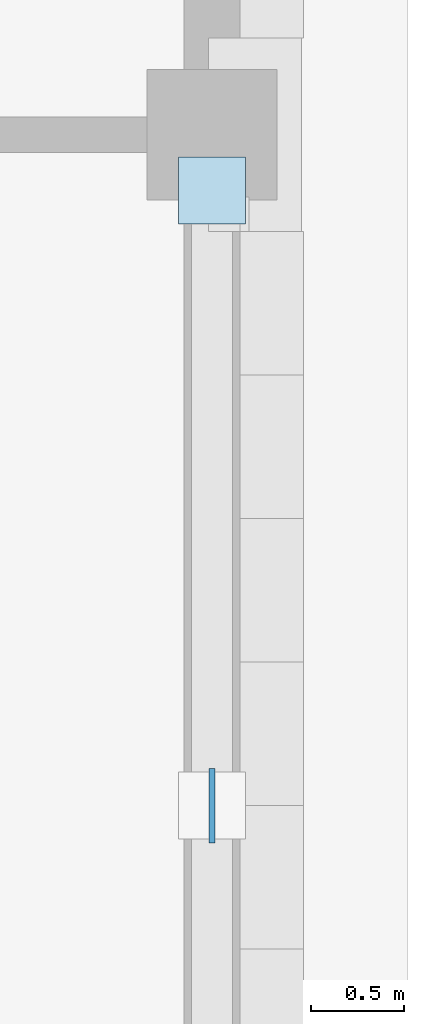
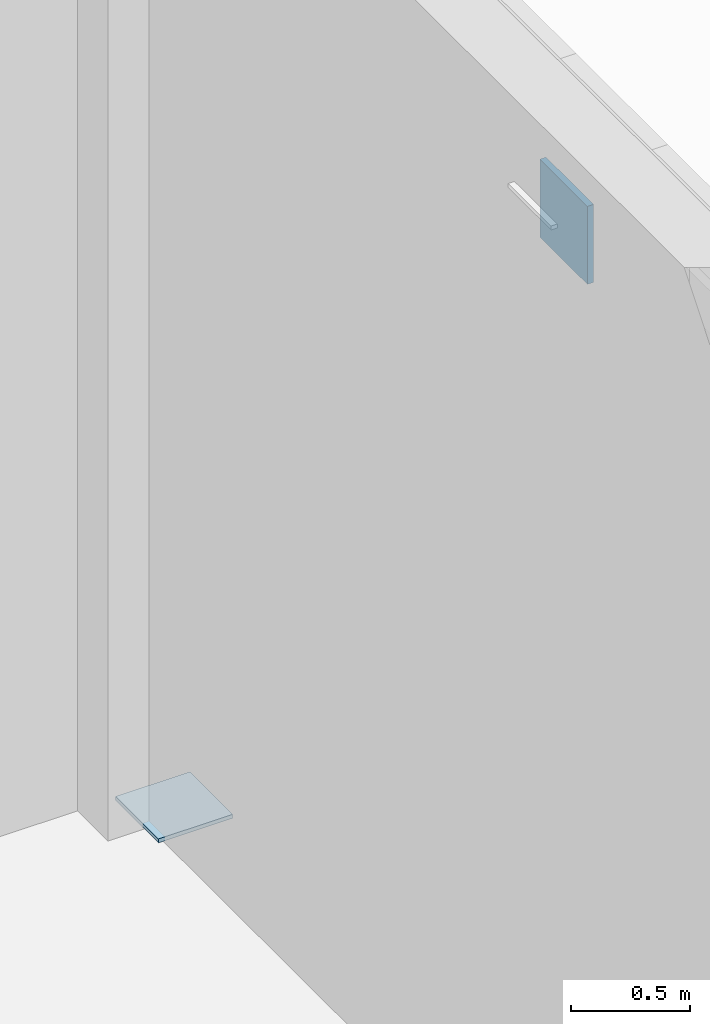
# One storey, part 53 of 85: 2 plates.
"""IFC4 building model written with IfcOpenShell, lengths in metres."""

from ifc_helpers import new_model, si_unit, direction, frame, origin, origin_2d, place, context, subcontext, project, spatial, rectangle, extrude, material, layer, layer_set, type_object, element, save


model = new_model("IFC4")

# Units and contexts
model_context = context("Model", 3, precision=1e-05, world=origin(), true_north=direction((0.0, 1.0)))
body_context = subcontext(model_context, "Body", "Model", "MODEL_VIEW")
ifc_project = project(units=[si_unit("LENGTHUNIT", "METRE"), si_unit("AREAUNIT", "SQUARE_METRE"), si_unit("VOLUMEUNIT", "CUBIC_METRE"), si_unit("PLANEANGLEUNIT", "RADIAN"), si_unit("MASSUNIT", "GRAM", prefix="KILO")], contexts=[model_context])

# Site, building, storey
site_placement = place(None, origin())
site = spatial("IfcSite", under=ifc_project, at=site_placement, CompositionType="ELEMENT")
building_placement = place(site_placement, origin())
building = spatial("IfcBuilding", under=site, at=building_placement, Name="Sardonyx Promenade Sports Hall", CompositionType="ELEMENT")
storey_placement = place(building_placement, origin())
storey = spatial("IfcBuildingStorey", under=building, at=storey_placement, Name="L00", CompositionType="ELEMENT", Elevation=0.0)

# Plates
ifc_material_1 = material(Name="Steel S355JR", Category="steel")
ifc_layer_1 = layer(ifc_material_1, 0.02001953125)
ifc_layer_set_1 = layer_set([ifc_layer_1], Name="Plt_EndCap_EC1")
plate_type_1 = type_object("IfcPlateType", Name="Plt_EndCap_EC1", PredefinedType="USERDEFINED", material=ifc_layer_set_1)
plate_1_placement = place(storey_placement, frame((165.60009765625, 78.89990234375, 0.010009765625), z_axis=(0.0, 0.0, 1.0), x_axis=(1.0, 0.0, 0.0)))
element("IfcPlate", 1, at=plate_1_placement, inside=storey, type_object=plate_type_1, Name="Brace foot end-cap plate EC1 BF4 L00 L2", ObjectType="END CAP PLATE", PredefinedType="USERDEFINED", context=body_context, shape_type="SweptSolid", body=[
    extrude(rectangle(XDim=0.360107421875, YDim=0.360107421875, at=origin_2d()), origin(), (0.0, 0.0, 1.0), 0.02001953125),
])
ifc_material_2 = material(Name="Steel S355JR", Category="steel")
ifc_layer_2 = layer(ifc_material_2, 0.030029296875)
ifc_layer_set_2 = layer_set([ifc_layer_2], Name="Plt_Gusset_KN4")
plate_type_2 = type_object("IfcPlateType", Name="Plt_Gusset_KN4", PredefinedType="USERDEFINED", material=ifc_layer_set_2)
plate_2_placement = place(storey_placement, frame((165.60009765625, 75.60009765625, 4.830078125), z_axis=(0.0, 0.0, 1.0), x_axis=(0.0, 1.0, 0.0)))
element("IfcPlate", 2, at=plate_2_placement, inside=storey, type_object=plate_type_2, Name="Braced-frame apex gusset KN4 BF4 L00", ObjectType="GUSSET PLATE", PredefinedType="USERDEFINED", context=body_context, shape_type="SweptSolid", body=[
    extrude(rectangle(XDim=0.39990234375, YDim=0.030029296875, at=origin_2d()), origin(), (0.0, 0.0, 1.0), 0.39990234375),
])

save(model, "model.ifc")
